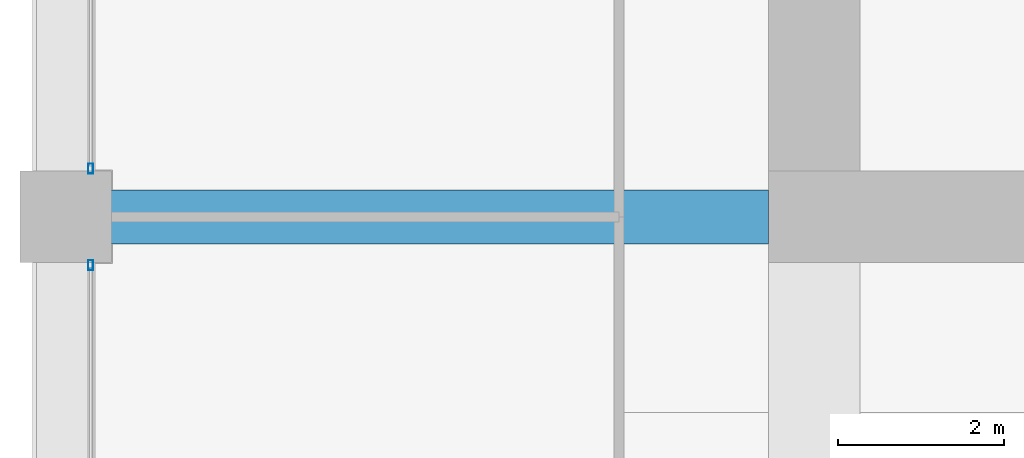
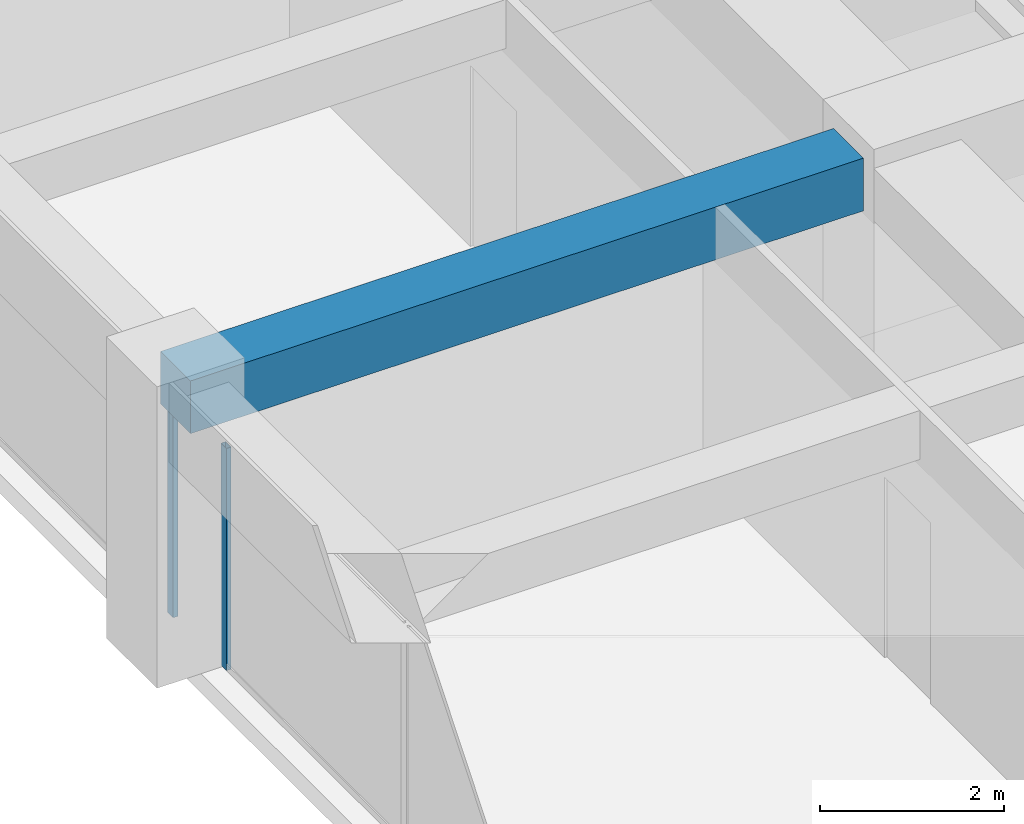
# One storey, part 13 of 44: 2 members, 1 beam, 2 elements without a shape of their own.
"""IFC4 building model written with IfcOpenShell, lengths in metres."""

from ifc_helpers import new_model, si_unit, direction, frame, origin, origin_2d, place, context, subcontext, project, spatial, rectangle, hollow_rectangle, extrude, material, material_profile, profile_set, type_object, element, aggregate, save


model = new_model("IFC4")

# Units and contexts
model_context = context("Model", 3, precision=1e-05, world=origin(), true_north=direction((0.0, 1.0)))
body_context = subcontext(model_context, "Body", "Model", "MODEL_VIEW")
ifc_project = project(units=[si_unit("LENGTHUNIT", "METRE"), si_unit("AREAUNIT", "SQUARE_METRE"), si_unit("VOLUMEUNIT", "CUBIC_METRE"), si_unit("PLANEANGLEUNIT", "RADIAN"), si_unit("MASSUNIT", "GRAM", prefix="KILO")], contexts=[model_context])

# Site, building, storey
site_placement = place(None, origin())
site = spatial("IfcSite", under=ifc_project, at=site_placement, CompositionType="ELEMENT")
building_placement = place(site_placement, origin())
building = spatial("IfcBuilding", under=site, at=building_placement, Name="Zorevar Civic Tower", CompositionType="ELEMENT")
storey_placement = place(building_placement, frame((0.0, 0.0, 295.39990234375)))
storey = spatial("IfcBuildingStorey", under=building, at=storey_placement, Name="L72", CompositionType="ELEMENT", Elevation=295.39990234375)

# Beam
ifc_material_1 = material(Name="Concrete C50/60", Category="concrete")
ifc_material_profile_1 = material_profile(ifc_material_1, rectangle(XDim=0.64990234375, YDim=0.699951171875, at=origin_2d()), Name="RC 650x700")
ifc_profile_set_1 = profile_set([ifc_material_profile_1], Name="Concrete C50/60")
beam_type = type_object("IfcBeamType", Name="Beam RC 650x700", PredefinedType="BEAM", material=ifc_profile_set_1)
beam_placement = place(storey_placement, frame((9.0, 18.0, 3.400146484375), z_axis=(1.0, 0.0, 0.0), x_axis=(0.0, 1.0, 0.0)))
element("IfcBeam", 1, at=beam_placement, inside=storey, type_object=beam_type, Name="Girder L73", PredefinedType="BEAM", context=body_context, shape_type="SweptSolid", body=[
    extrude(rectangle(XDim=0.64990234375, YDim=0.699951171875, at=origin_2d()), origin(), (0.0, 0.0, 1.0), 8.449951171875),
])

# Curtain wall, member
ifc_material_2 = material(Name="Dark grey solar-control glass in black aluminium frame", Category="aluminium")
curtain_wall_type = type_object("IfcCurtainWallType", Name="Curtain wall CW5 top zone", PredefinedType="NOTDEFINED", material=ifc_material_2)
curtain_wall_1_placement = place(storey_placement, origin())
curtain_wall_1 = element("IfcCurtainWall", 2, at=curtain_wall_1_placement, inside=storey, type_object=curtain_wall_type, Name="CW5 L72", PredefinedType="NOTDEFINED")
ifc_material_3 = material(Name="Aluminium, black anodised", Category="aluminium")
ifc_material_profile_2 = material_profile(ifc_material_3, hollow_rectangle(XDim=0.06005859375, YDim=0.1201171875, WallThickness=0.0029296875, at=origin_2d()), Name="AL 120x60x3")
ifc_profile_set_2 = profile_set([ifc_material_profile_2], Name="Aluminium, black anodised")
member_type = type_object("IfcMemberType", Name="CW5 mullion AL 120x60x3", PredefinedType="MULLION", material=ifc_profile_set_2)
member_1_placement = place(storey_placement, frame((9.300048828125, 17.419921875, 0.0), z_axis=(0.0, 0.0, 1.0), x_axis=(-1.0, 0.0, 0.0)))
member_1 = element("IfcMember", 3, at=member_1_placement, type_object=member_type, Name="CW5 mullion 3", PredefinedType="MULLION", context=body_context, shape_type="SweptSolid", body=[
    extrude(hollow_rectangle(XDim=0.06005859375, YDim=0.1201171875, WallThickness=0.0029296875, at=origin_2d()), origin(), (0.0, 0.0, 1.0), 2.9501953125),
])
aggregate(curtain_wall_1, [member_1])

curtain_wall_2_placement = place(storey_placement, origin())
curtain_wall_2 = element("IfcCurtainWall", 4, at=curtain_wall_2_placement, inside=storey, type_object=curtain_wall_type, Name="CW5 L72", PredefinedType="NOTDEFINED")
member_2_placement = place(storey_placement, frame((9.300048828125, 18.580078125, 0.0), z_axis=(0.0, 0.0, 1.0), x_axis=(-1.0, 0.0, 0.0)))
member_2 = element("IfcMember", 5, at=member_2_placement, type_object=member_type, Name="CW5 mullion 1", PredefinedType="MULLION", context=body_context, shape_type="SweptSolid", body=[
    extrude(hollow_rectangle(XDim=0.06005859375, YDim=0.1201171875, WallThickness=0.0029296875, at=origin_2d()), origin(), (0.0, 0.0, 1.0), 2.9501953125),
])
aggregate(curtain_wall_2, [member_2])

save(model, "model.ifc")
